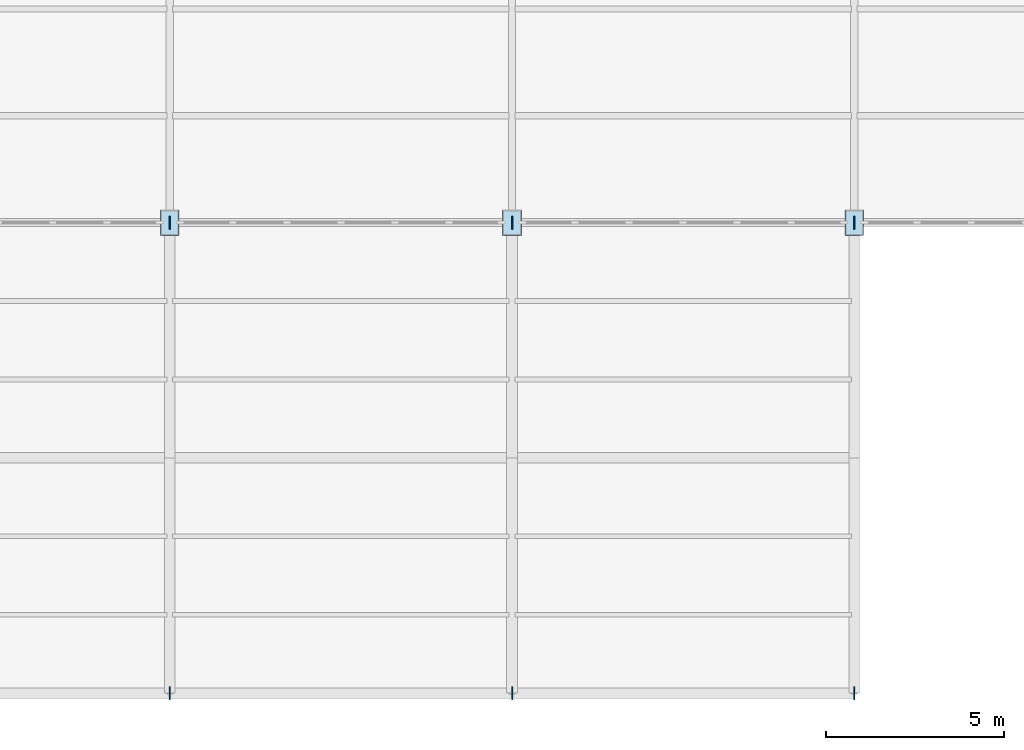
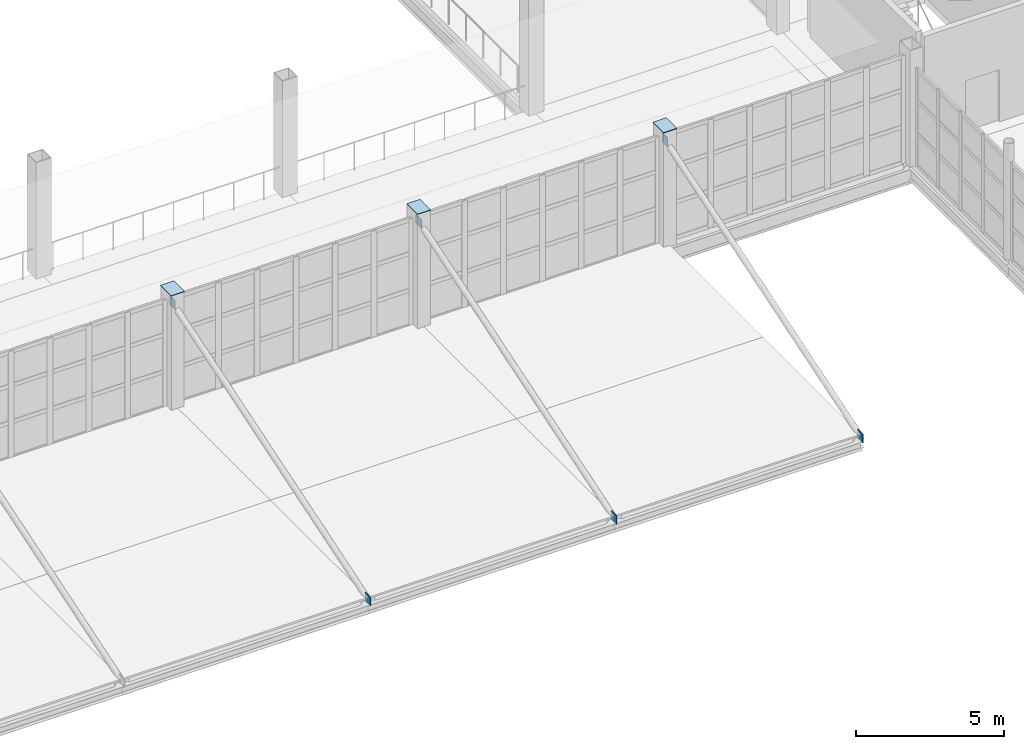
# One storey, part 99 of 120: 9 plates.
"""IFC4 building model written with IfcOpenShell, lengths in metres."""

from ifc_helpers import new_model, si_unit, direction, frame, origin, origin_2d, place, context, subcontext, project, spatial, rectangle, extrude, material, layer, layer_set, type_object, element, save


model = new_model("IFC4")

# Units and contexts
model_context = context("Model", 3, precision=1e-05, world=origin(), true_north=direction((0.0, 1.0)))
body_context = subcontext(model_context, "Body", "Model", "MODEL_VIEW")
ifc_project = project(units=[si_unit("LENGTHUNIT", "METRE"), si_unit("AREAUNIT", "SQUARE_METRE"), si_unit("VOLUMEUNIT", "CUBIC_METRE"), si_unit("PLANEANGLEUNIT", "RADIAN"), si_unit("MASSUNIT", "GRAM", prefix="KILO")], contexts=[model_context])

# Site, building, storey
site_placement = place(None, origin())
site = spatial("IfcSite", under=ifc_project, at=site_placement, CompositionType="ELEMENT")
building_placement = place(site_placement, origin())
building = spatial("IfcBuilding", under=site, at=building_placement, Name="Zarnetskaya Central Station", CompositionType="ELEMENT")
storey_placement = place(building_placement, frame((0.0, 0.0, 5.39990234375)))
storey = spatial("IfcBuildingStorey", under=building, at=storey_placement, Name="L01", CompositionType="ELEMENT", Elevation=5.39990234375)

# Plates
ifc_material = material(Name="Steel S355", Category="steel")
ifc_layer_1 = layer(ifc_material, 0.028076171875, Name="Steel S355", Category="steel")
ifc_layer_set_1 = layer_set([ifc_layer_1], Name="Steel S355")
plate_type_1 = type_object("IfcPlateType", Name="ND-GUSSET-EXT-28", PredefinedType="USERDEFINED", material=ifc_layer_set_1)
for number, where, z_axis, x_axis, name in (
    (1, (96.0, 13.199951171875, 4.02001953125), (0.0, 0.0, 1.0), (1.0, 0.0, 0.0), "Forecourt canopy tie upper clevis plate L"),
    (2, (96.0, 0.0, -0.19189453125), (0.0, 0.0, 1.0), (1.0, 0.0, 0.0), "Forecourt canopy tie lower clevis plate L"),
    (3, (105.60009765625, 13.199951171875, 4.02001953125), (0.0, 0.0, 1.0), (1.0, 0.0, 0.0), "Forecourt canopy tie upper clevis plate M"),
    (4, (105.60009765625, 0.0, -0.19189453125), (0.0, 0.0, 1.0), (1.0, 0.0, 0.0), "Forecourt canopy tie lower clevis plate M"),
    (5, (115.199951171875, 13.199951171875, 4.02001953125), (0.0, 0.0, 1.0), (1.0, 0.0, 0.0), "Forecourt canopy tie upper clevis plate N"),
    (6, (115.199951171875, 0.0, -0.19189453125), (0.0, 0.0, 1.0), (1.0, 0.0, 0.0), "Forecourt canopy tie lower clevis plate N"),
):
    element("IfcPlate", number, at=place(storey_placement, frame(where, z_axis=z_axis, x_axis=x_axis)), inside=storey, type_object=plate_type_1, Name=name, ObjectType="GUSSET PLATE", PredefinedType="USERDEFINED", context=body_context, shape_type="SweptSolid", body=[
        extrude(rectangle(XDim=0.028076171875, YDim=0.360107421875, at=origin_2d()), origin(), (0.0, 0.0, 1.0), 0.360107421875),
    ])
ifc_layer_2 = layer(ifc_material, 0.02392578125, Name="Steel S355", Category="steel")
ifc_layer_set_2 = layer_set([ifc_layer_2], Name="Steel S355")
plate_type_2 = type_object("IfcPlateType", Name="PL-COL-CAP-EXT", PredefinedType="USERDEFINED", material=ifc_layer_set_2)
for number, where, z_axis, x_axis, name in (
    (7, (96.0, 13.199951171875, 4.776123046875), (0.0, 0.0, 1.0), (1.0, 0.0, 0.0), "Hollow column sealed end-cap plate 78"),
    (8, (105.60009765625, 13.199951171875, 4.776123046875), (0.0, 0.0, 1.0), (1.0, 0.0, 0.0), "Hollow column sealed end-cap plate 87"),
    (9, (115.199951171875, 13.199951171875, 4.776123046875), (0.0, 0.0, 1.0), (1.0, 0.0, 0.0), "Hollow column sealed end-cap plate 96"),
):
    element("IfcPlate", number, at=place(storey_placement, frame(where, z_axis=z_axis, x_axis=x_axis)), inside=storey, type_object=plate_type_2, Name=name, ObjectType="END CAP PLATE", PredefinedType="USERDEFINED", context=body_context, shape_type="SweptSolid", body=[
        extrude(rectangle(XDim=0.52001953125, YDim=0.719970703125, at=origin_2d()), origin(), (0.0, 0.0, 1.0), 0.02392578125),
    ])

save(model, "model.ifc")
